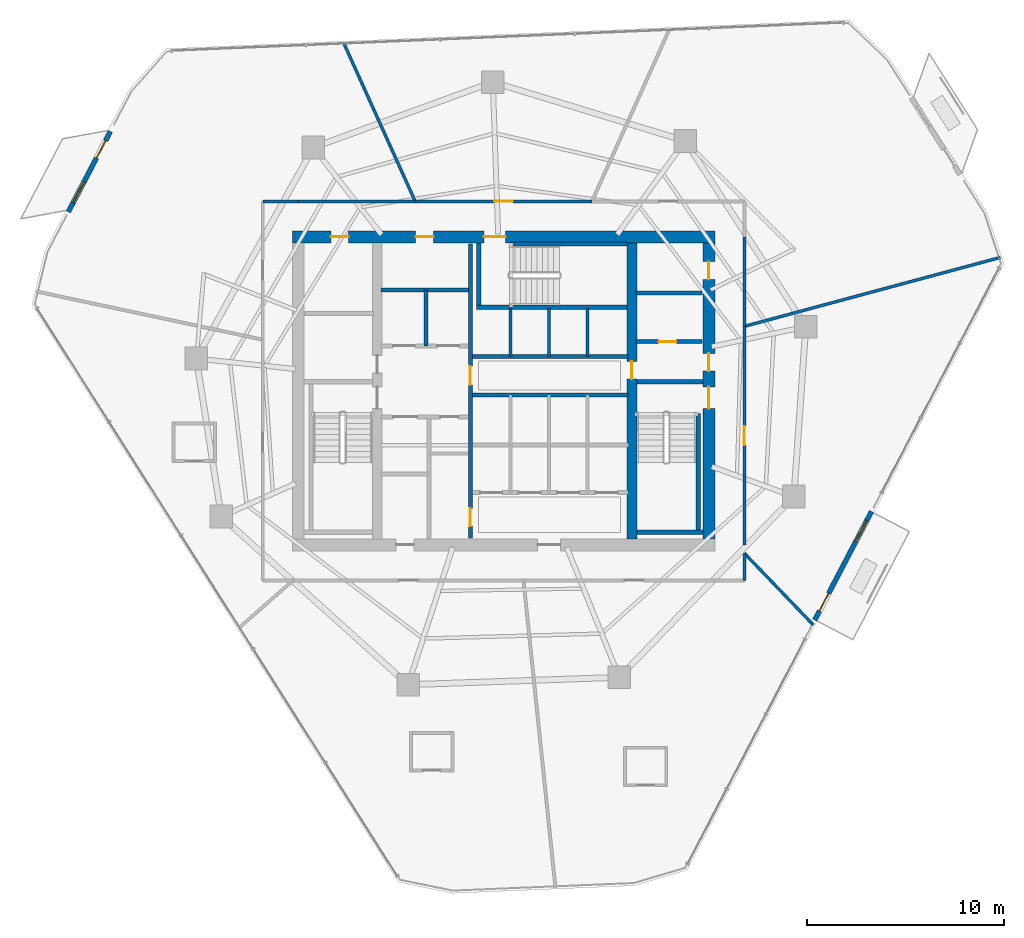
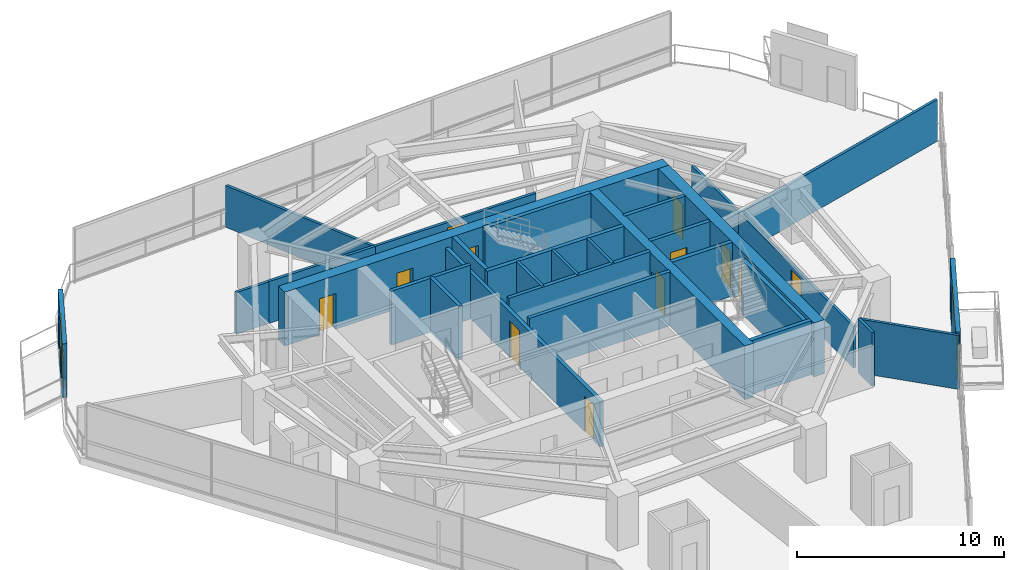
# One storey, part 22 of 25: 30 walls, 14 doors, 2 windows, 16 openings.
"""IFC4 building model written with IfcOpenShell, lengths in metres."""

from ifc_helpers import new_model, si_unit, direction, frame, frame_2d, origin, place, context, subcontext, project, spatial, rectangle, extrude, material, layer, layer_set, type_object, element, fill, save


model = new_model("IFC4")

# Units and contexts
model_context = context("Model", 3, precision=1e-05, world=origin(), true_north=direction((0.0, 1.0)))
body_context = subcontext(model_context, "Body", "Model", "MODEL_VIEW")
ifc_project = project(units=[si_unit("LENGTHUNIT", "METRE"), si_unit("AREAUNIT", "SQUARE_METRE"), si_unit("VOLUMEUNIT", "CUBIC_METRE"), si_unit("PLANEANGLEUNIT", "RADIAN"), si_unit("MASSUNIT", "GRAM", prefix="KILO")], contexts=[model_context])

# Site, building, storey
site_placement = place(None, origin())
site = spatial("IfcSite", under=ifc_project, at=site_placement, CompositionType="ELEMENT")
building_placement = place(site_placement, origin())
building = spatial("IfcBuilding", under=site, at=building_placement, Name="Qarnah Convention Tower", CompositionType="ELEMENT")
storey_placement = place(building_placement, frame((0.0, 0.0, 76.35009765625)))
storey = spatial("IfcBuildingStorey", under=building, at=storey_placement, Name="L19", CompositionType="ELEMENT", Elevation=76.35009765625)

# Wall, openings, doors
ifc_material_1 = material(Name="Concrete C60/75", Category="concrete")
ifc_layer_1 = layer(ifc_material_1, 0.60009765625)
ifc_layer_set_1 = layer_set([ifc_layer_1], Name="Concrete C60/75")
wall_type_1 = type_object("IfcWallType", Name="WL-CORE-600", PredefinedType="SHEAR", material=ifc_layer_set_1)
wall_1_placement = place(storey_placement, frame((26.5, 34.199951171875, 0.0), z_axis=(0.0, 0.0, 1.0), x_axis=(1.0, 0.0, 0.0)))
wall_1 = element("IfcWall", 1, at=wall_1_placement, inside=storey, type_object=wall_type_1, Name="L19 core north shear wall", PredefinedType="SHEAR", context=body_context, shape_type="SweptSolid", body=[
    extrude(rectangle(XDim=21.39990234375, YDim=0.60009765625, at=frame_2d((10.699951171875, 0.0))), origin(), (0.0, 0.0, 1.0), 3.169921875),
])
opening_1_placement = place(wall_1_placement, frame((9.699951171875, 0.0, 0.0)))
opening_1 = element("IfcOpeningElement", 2, at=opening_1_placement, cuts=wall_1, Name="Opening D-1903", PredefinedType="OPENING", context=body_context, shape_type="SweptSolid", body=[
    extrude(rectangle(XDim=1.10009765625, YDim=2.14990234375, at=frame_2d((0.550048828125, 1.074951171875))), frame((0.0, 0.31005859375, 0.0), z_axis=(0.0, -1.0, 0.0), x_axis=(1.0, 0.0, 0.0)), (0.0, 0.0, 1.0), 0.6201171875),
])
opening_2_placement = place(wall_1_placement, frame((1.949951171875, 0.0, 0.0)))
opening_2 = element("IfcOpeningElement", 3, at=opening_2_placement, cuts=wall_1, Name="Opening D-1909", PredefinedType="OPENING", context=body_context, shape_type="SweptSolid", body=[
    extrude(rectangle(XDim=0.89990234375, YDim=2.10009765625, at=frame_2d((0.449951171875, 1.050048828125))), frame((0.0, 0.31005859375, 0.0), z_axis=(0.0, -1.0, 0.0), x_axis=(1.0, 0.0, 0.0)), (0.0, 0.0, 1.0), 0.6201171875),
])
opening_3_placement = place(wall_1_placement, frame((6.25, 0.0, 0.0)))
opening_3 = element("IfcOpeningElement", 4, at=opening_3_placement, cuts=wall_1, Name="Opening D-1910", PredefinedType="OPENING", context=body_context, shape_type="SweptSolid", body=[
    extrude(rectangle(XDim=0.89990234375, YDim=2.10009765625, at=frame_2d((0.449951171875, 1.050048828125))), frame((0.0, 0.31005859375, 0.0), z_axis=(0.0, -1.0, 0.0), x_axis=(1.0, 0.0, 0.0)), (0.0, 0.0, 1.0), 0.6201171875),
])
ifc_material_2 = material(Name="Structural steel S355JR", Category="steel")
door_type_1 = type_object("IfcDoorType", Name="DT-RISER-900", OperationType="NOTDEFINED", PredefinedType="DOOR", material=ifc_material_2)
door_1_placement = place(opening_2_placement, origin())
door_1 = element("IfcDoor", 5, at=door_1_placement, inside=storey, type_object=door_type_1, Name="Door D-1909", OperationType="SINGLE_SWING_LEFT", OverallHeight=2.10009765625, OverallWidth=0.89990234375, PredefinedType="DOOR", context=body_context, shape_type="SweptSolid", body=[
    extrude(rectangle(XDim=0.89990234375, YDim=2.10009765625, at=frame_2d((0.449951171875, 1.050048828125))), frame((0.0, 0.02490234375, 0.0), z_axis=(0.0, -1.0, 0.0), x_axis=(1.0, 0.0, 0.0)), (0.0, 0.0, 1.0), 0.050048828125),
])
fill(opening_2, door_1)
door_2_placement = place(opening_3_placement, origin())
door_2 = element("IfcDoor", 6, at=door_2_placement, inside=storey, type_object=door_type_1, Name="Door D-1910", OperationType="SINGLE_SWING_RIGHT", OverallHeight=2.10009765625, OverallWidth=0.89990234375, PredefinedType="DOOR", context=body_context, shape_type="SweptSolid", body=[
    extrude(rectangle(XDim=0.89990234375, YDim=2.10009765625, at=frame_2d((0.449951171875, 1.050048828125))), frame((0.0, 0.02490234375, 0.0), z_axis=(0.0, -1.0, 0.0), x_axis=(1.0, 0.0, 0.0)), (0.0, 0.0, 1.0), 0.050048828125),
])
fill(opening_3, door_2)
door_type_2 = type_object("IfcDoorType", Name="DT-STAIR-1100", OperationType="NOTDEFINED", PredefinedType="DOOR", material=ifc_material_2)
door_3_placement = place(opening_1_placement, origin())
door_3 = element("IfcDoor", 7, at=door_3_placement, inside=storey, type_object=door_type_2, Name="Door D-1903", OperationType="SINGLE_SWING_LEFT", OverallHeight=2.14990234375, OverallWidth=1.10009765625, PredefinedType="DOOR", context=body_context, shape_type="SweptSolid", body=[
    extrude(rectangle(XDim=1.10009765625, YDim=2.14990234375, at=frame_2d((0.550048828125, 1.074951171875))), frame((0.0, 0.02490234375, 0.0), z_axis=(0.0, -1.0, 0.0), x_axis=(1.0, 0.0, 0.0)), (0.0, 0.0, 1.0), 0.050048828125),
])
fill(opening_1, door_3)

wall_2_placement = place(storey_placement, frame((47.60009765625, 18.89990234375, 0.0), z_axis=(0.0, 0.0, 1.0), x_axis=(0.0, 1.0, 0.0)))
wall_2 = element("IfcWall", 8, at=wall_2_placement, inside=storey, type_object=wall_type_1, Name="L19 core east shear wall", PredefinedType="SHEAR", context=body_context, shape_type="SweptSolid", body=[
    extrude(rectangle(XDim=15.0, YDim=0.60009765625, at=frame_2d((7.5, 0.0))), origin(), (0.0, 0.0, 1.0), 3.169921875),
])
opening_4_placement = place(wall_2_placement, frame((6.60009765625, 0.0, 0.0)))
opening_4 = element("IfcOpeningElement", 9, at=opening_4_placement, cuts=wall_2, Name="Opening D-1902", PredefinedType="OPENING", context=body_context, shape_type="SweptSolid", body=[
    extrude(rectangle(XDim=1.10009765625, YDim=2.14990234375, at=frame_2d((0.550048828125, 1.074951171875))), frame((0.0, 0.31005859375, 0.0), z_axis=(0.0, -1.0, 0.0), x_axis=(1.0, 0.0, 0.0)), (0.0, 0.0, 1.0), 0.6201171875),
])
opening_5_placement = place(wall_2_placement, frame((8.5, 0.0, 0.0)))
opening_5 = element("IfcOpeningElement", 10, at=opening_5_placement, cuts=wall_2, Name="Opening D-1906", PredefinedType="OPENING", context=body_context, shape_type="SweptSolid", body=[
    extrude(rectangle(XDim=0.89990234375, YDim=2.10009765625, at=frame_2d((0.449951171875, 1.050048828125))), frame((0.0, 0.31005859375, 0.0), z_axis=(0.0, -1.0, 0.0), x_axis=(1.0, 0.0, 0.0)), (0.0, 0.0, 1.0), 0.6201171875),
])
opening_6_placement = place(wall_2_placement, frame((13.14990234375, 0.0, 0.0)))
opening_6 = element("IfcOpeningElement", 11, at=opening_6_placement, cuts=wall_2, Name="Opening D-1912", PredefinedType="OPENING", context=body_context, shape_type="SweptSolid", body=[
    extrude(rectangle(XDim=0.89990234375, YDim=2.10009765625, at=frame_2d((0.449951171875, 1.050048828125))), frame((0.0, 0.31005859375, 0.0), z_axis=(0.0, -1.0, 0.0), x_axis=(1.0, 0.0, 0.0)), (0.0, 0.0, 1.0), 0.6201171875),
])
door_4_placement = place(opening_5_placement, origin())
door_4 = element("IfcDoor", 12, at=door_4_placement, inside=storey, type_object=door_type_1, Name="Door D-1906", OperationType="SINGLE_SWING_RIGHT", OverallHeight=2.10009765625, OverallWidth=0.89990234375, PredefinedType="DOOR", context=body_context, shape_type="SweptSolid", body=[
    extrude(rectangle(XDim=0.89990234375, YDim=2.10009765625, at=frame_2d((0.449951171875, 1.050048828125))), frame((0.0, 0.02490234375, 0.0), z_axis=(0.0, -1.0, 0.0), x_axis=(1.0, 0.0, 0.0)), (0.0, 0.0, 1.0), 0.050048828125),
])
fill(opening_5, door_4)
door_5_placement = place(opening_6_placement, origin())
door_5 = element("IfcDoor", 13, at=door_5_placement, inside=storey, type_object=door_type_1, Name="Door D-1912", OperationType="SINGLE_SWING_RIGHT", OverallHeight=2.10009765625, OverallWidth=0.89990234375, PredefinedType="DOOR", context=body_context, shape_type="SweptSolid", body=[
    extrude(rectangle(XDim=0.89990234375, YDim=2.10009765625, at=frame_2d((0.449951171875, 1.050048828125))), frame((0.0, 0.02490234375, 0.0), z_axis=(0.0, -1.0, 0.0), x_axis=(1.0, 0.0, 0.0)), (0.0, 0.0, 1.0), 0.050048828125),
])
fill(opening_6, door_5)
door_6_placement = place(opening_4_placement, origin())
door_6 = element("IfcDoor", 14, at=door_6_placement, inside=storey, type_object=door_type_2, Name="Door D-1902", OperationType="SINGLE_SWING_RIGHT", OverallHeight=2.14990234375, OverallWidth=1.10009765625, PredefinedType="DOOR", context=body_context, shape_type="SweptSolid", body=[
    extrude(rectangle(XDim=1.10009765625, YDim=2.14990234375, at=frame_2d((0.550048828125, 1.074951171875))), frame((0.0, 0.02490234375, 0.0), z_axis=(0.0, -1.0, 0.0), x_axis=(1.0, 0.0, 0.0)), (0.0, 0.0, 1.0), 0.050048828125),
])
fill(opening_4, door_6)

# Wall, opening, door
ifc_layer_2 = layer(ifc_material_1, 0.5)
ifc_layer_set_2 = layer_set([ifc_layer_2], Name="Concrete C60/75")
wall_type_2 = type_object("IfcWallType", Name="WL-CORE-INT-400", PredefinedType="SHEAR", material=ifc_layer_set_2)
wall_3_placement = place(storey_placement, frame((43.699951171875, 18.89990234375, 0.0), z_axis=(0.0, 0.0, 1.0), x_axis=(0.0, 1.0, 0.0)))
wall_3 = element("IfcWall", 15, at=wall_3_placement, inside=storey, type_object=wall_type_2, Name="L19 core east spine shear wall", PredefinedType="SHEAR", context=body_context, shape_type="SweptSolid", body=[
    extrude(rectangle(XDim=15.0, YDim=0.5, at=frame_2d((7.5, 0.0))), origin(), (0.0, 0.0, 1.0), 3.169921875),
])
opening_7_placement = place(wall_3_placement, frame((8.10009765625, 0.0, 0.0)))
opening_7 = element("IfcOpeningElement", 16, at=opening_7_placement, cuts=wall_3, Name="Opening D-1905", PredefinedType="OPENING", context=body_context, shape_type="SweptSolid", body=[
    extrude(rectangle(XDim=0.89990234375, YDim=2.10009765625, at=frame_2d((0.449951171875, 1.050048828125))), frame((0.0, 0.260009765625, 0.0), z_axis=(0.0, -1.0, 0.0), x_axis=(1.0, 0.0, 0.0)), (0.0, 0.0, 1.0), 0.52001953125),
])
door_7_placement = place(opening_7_placement, origin())
door_7 = element("IfcDoor", 17, at=door_7_placement, inside=storey, type_object=door_type_1, Name="Door D-1905", OperationType="SINGLE_SWING_LEFT", OverallHeight=2.10009765625, OverallWidth=0.89990234375, PredefinedType="DOOR", context=body_context, shape_type="SweptSolid", body=[
    extrude(rectangle(XDim=0.89990234375, YDim=2.10009765625, at=frame_2d((0.449951171875, 1.050048828125))), frame((0.0, 0.02490234375, 0.0), z_axis=(0.0, -1.0, 0.0), x_axis=(1.0, 0.0, 0.0)), (0.0, 0.0, 1.0), 0.050048828125),
])
fill(opening_7, door_7)

ifc_material_3 = material(Name="Concrete C45/55", Category="concrete")
ifc_layer_3 = layer(ifc_material_3, 0.199951171875)
ifc_layer_set_3 = layer_set([ifc_layer_3], Name="Concrete C45/55")
wall_type_3 = type_object("IfcWallType", Name="WL-CORE-PART-200", PredefinedType="SOLIDWALL", material=ifc_layer_set_3)
wall_4_placement = place(storey_placement, frame((43.89990234375, 28.89990234375, 0.0), z_axis=(0.0, 0.0, 1.0), x_axis=(1.0, 0.0, 0.0)))
wall_4 = element("IfcWall", 18, at=wall_4_placement, inside=storey, type_object=wall_type_3, Name="L19 interior wall IW-L19-EVSTN", PredefinedType="SOLIDWALL", context=body_context, shape_type="SweptSolid", body=[
    extrude(rectangle(XDim=3.35009765625, YDim=0.199951171875, at=frame_2d((1.675048828125, 0.0))), origin(), (0.0, 0.0, 1.0), 3.169921875),
])
opening_8_placement = place(wall_4_placement, frame((1.14990234375, 0.0, 0.0)))
opening_8 = element("IfcOpeningElement", 19, at=opening_8_placement, cuts=wall_4, Name="Opening D-1911", PredefinedType="OPENING", context=body_context, shape_type="SweptSolid", body=[
    extrude(rectangle(XDim=0.89990234375, YDim=2.10009765625, at=frame_2d((0.449951171875, 1.050048828125))), frame((0.0, 0.10986328125, 0.0), z_axis=(0.0, -1.0, 0.0), x_axis=(1.0, 0.0, 0.0)), (0.0, 0.0, 1.0), 0.219970703125),
])
door_8_placement = place(opening_8_placement, origin())
door_8 = element("IfcDoor", 20, at=door_8_placement, inside=storey, type_object=door_type_1, Name="Door D-1911", OperationType="SINGLE_SWING_LEFT", OverallHeight=2.10009765625, OverallWidth=0.89990234375, PredefinedType="DOOR", context=body_context, shape_type="SweptSolid", body=[
    extrude(rectangle(XDim=0.89990234375, YDim=2.10009765625, at=frame_2d((0.449951171875, 1.050048828125))), frame((0.0, 0.02490234375, 0.0), z_axis=(0.0, -1.0, 0.0), x_axis=(1.0, 0.0, 0.0)), (0.0, 0.0, 1.0), 0.050048828125),
])
fill(opening_8, door_8)

# Wall
wall_5_placement = place(storey_placement, frame((43.89990234375, 31.35009765625, 0.0), z_axis=(0.0, 0.0, 1.0), x_axis=(1.0, 0.0, 0.0)))
element("IfcWall", 21, at=wall_5_placement, inside=storey, type_object=wall_type_3, Name="L19 interior wall IW-L19-WTRN", PredefinedType="SOLIDWALL", context=body_context, shape_type="SweptSolid", body=[
    extrude(rectangle(XDim=3.35009765625, YDim=0.199951171875, at=frame_2d((1.675048828125, 0.0))), origin(), (0.0, 0.0, 1.0), 3.169921875),
])

# Wall, openings, doors
wall_6_placement = place(storey_placement, frame((35.52001953125, 18.949951171875, 0.0), z_axis=(0.0, 0.0, 1.0), x_axis=(0.0, 1.0, 0.0)))
wall_6 = element("IfcWall", 22, at=wall_6_placement, inside=storey, type_object=wall_type_3, Name="L19 interior wall IW-L19-CSP", PredefinedType="SOLIDWALL", context=body_context, shape_type="SweptSolid", body=[
    extrude(rectangle(XDim=14.900146484375, YDim=0.199951171875, at=frame_2d((7.4501953125, 0.0))), origin(), (0.0, 0.0, 1.0), 2.69091796875),
])
opening_9_placement = place(wall_6_placement, frame((7.7548828125, 0.0, 0.0)))
opening_9 = element("IfcOpeningElement", 23, at=opening_9_placement, cuts=wall_6, Name="Opening D-1904", PredefinedType="OPENING", context=body_context, shape_type="SweptSolid", body=[
    extrude(rectangle(XDim=0.949951171875, YDim=2.14990234375, at=frame_2d((0.47509765625, 1.074951171875))), frame((0.0, 0.10986328125, 0.0), z_axis=(0.0, -1.0, 0.0), x_axis=(1.0, 0.0, 0.0)), (0.0, 0.0, 1.0), 0.219970703125),
])
opening_10_placement = place(wall_6_placement, frame((0.60009765625, 0.0, 0.0)))
opening_10 = element("IfcOpeningElement", 24, at=opening_10_placement, cuts=wall_6, Name="Opening D-1914", PredefinedType="OPENING", context=body_context, shape_type="SweptSolid", body=[
    extrude(rectangle(XDim=0.89990234375, YDim=2.10009765625, at=frame_2d((0.449951171875, 1.050048828125))), frame((0.0, 0.10986328125, 0.0), z_axis=(0.0, -1.0, 0.0), x_axis=(1.0, 0.0, 0.0)), (0.0, 0.0, 1.0), 0.219970703125),
])
ifc_material_4 = material(Name="Oak timber veneer", Category="wood")
door_type_3 = type_object("IfcDoorType", Name="DT-HOTEL-950", OperationType="NOTDEFINED", PredefinedType="DOOR", material=ifc_material_4)
door_9_placement = place(opening_9_placement, origin())
door_9 = element("IfcDoor", 25, at=door_9_placement, inside=storey, type_object=door_type_3, Name="Door D-1904", OperationType="SINGLE_SWING_RIGHT", OverallHeight=2.14990234375, OverallWidth=0.949951171875, PredefinedType="DOOR", context=body_context, shape_type="SweptSolid", body=[
    extrude(rectangle(XDim=0.949951171875, YDim=2.14990234375, at=frame_2d((0.47509765625, 1.074951171875))), frame((0.0, 0.02490234375, 0.0), z_axis=(0.0, -1.0, 0.0), x_axis=(1.0, 0.0, 0.0)), (0.0, 0.0, 1.0), 0.050048828125),
])
fill(opening_9, door_9)
door_10_placement = place(opening_10_placement, origin())
door_10 = element("IfcDoor", 26, at=door_10_placement, inside=storey, type_object=door_type_1, Name="Door D-1914", OperationType="SINGLE_SWING_RIGHT", OverallHeight=2.10009765625, OverallWidth=0.89990234375, PredefinedType="DOOR", context=body_context, shape_type="SweptSolid", body=[
    extrude(rectangle(XDim=0.89990234375, YDim=2.10009765625, at=frame_2d((0.449951171875, 1.050048828125))), frame((0.0, 0.02490234375, 0.0), z_axis=(0.0, -1.0, 0.0), x_axis=(1.0, 0.0, 0.0)), (0.0, 0.0, 1.0), 0.050048828125),
])
fill(opening_10, door_10)

# Walls
wall_7_placement = place(storey_placement, frame((31.0, 31.5, 0.0), z_axis=(0.0, 0.0, 1.0), x_axis=(1.0, 0.0, 0.0)))
element("IfcWall", 27, at=wall_7_placement, inside=storey, type_object=wall_type_3, Name="L19 interior wall IW-L19-FFLN", PredefinedType="SOLIDWALL", context=body_context, shape_type="SweptSolid", body=[
    extrude(rectangle(XDim=4.419921875, YDim=0.199951171875, at=frame_2d((2.2099609375, 0.0))), origin(), (0.0, 0.0, 1.0), 3.169921875),
])
wall_8_placement = place(storey_placement, frame((33.280029296875, 28.679931640625, 0.0), z_axis=(0.0, 0.0, 1.0), x_axis=(0.0, 1.0, 0.0)))
element("IfcWall", 28, at=wall_8_placement, inside=storey, type_object=wall_type_3, Name="L19 interior wall IW-L19-FFLM", PredefinedType="SOLIDWALL", context=body_context, shape_type="SweptSolid", body=[
    extrude(rectangle(XDim=2.820068359375, YDim=0.199951171875, at=frame_2d((1.41015625, 0.0))), origin(), (0.0, 0.0, 1.0), 3.169921875),
])
for number, where, z_axis, x_axis, name in (
    (29, (35.6201171875, 28.14990234375, 0.0), (0.0, 0.0, 1.0), (1.0, 0.0, 0.0), "L19 interior wall IW-L19-PHS"),
    (30, (35.6201171875, 26.199951171875, 0.0), (0.0, 0.0, 1.0), (1.0, 0.0, 0.0), "L19 interior wall IW-L19-PMN"),
):
    element("IfcWall", number, at=place(storey_placement, frame(where, z_axis=z_axis, x_axis=x_axis)), inside=storey, type_object=wall_type_3, Name=name, PredefinedType="SOLIDWALL", context=body_context, shape_type="SweptSolid", body=[
        extrude(rectangle(XDim=7.8798828125, YDim=0.199951171875, at=frame_2d((3.93994140625, 0.0))), origin(), (0.0, 0.0, 1.0), 3.169921875),
    ])
ifc_layer_4 = layer(ifc_material_1, 0.219970703125)
ifc_layer_set_4 = layer_set([ifc_layer_4], Name="Concrete C60/75")
wall_type_4 = type_object("IfcWallType", Name="WL-CORE-STAIR-220", PredefinedType="SHEAR", material=ifc_layer_set_4)
wall_9_placement = place(storey_placement, frame((43.949951171875, 26.860107421875, 0.0), z_axis=(0.0, 0.0, 1.0), x_axis=(1.0, 0.0, 0.0)))
element("IfcWall", 31, at=wall_9_placement, inside=storey, type_object=wall_type_4, Name="L19 stair shaft shear wall SW-L19-ST2N", PredefinedType="SHEAR", context=body_context, shape_type="SweptSolid", body=[
    extrude(rectangle(XDim=3.35009765625, YDim=0.219970703125, at=frame_2d((1.675048828125, 0.0))), origin(), (0.0, 0.0, 1.0), 3.169921875),
])
wall_10_placement = place(storey_placement, frame((47.06005859375, 19.35009765625, 0.0), z_axis=(0.0, 0.0, 1.0), x_axis=(0.0, 1.0, 0.0)))
element("IfcWall", 32, at=wall_10_placement, inside=storey, type_object=wall_type_4, Name="L19 stair shaft shear wall SW-L19-ST2E", PredefinedType="SHEAR", context=body_context, shape_type="SweptSolid", body=[
    extrude(rectangle(XDim=5.89990234375, YDim=0.219970703125, at=frame_2d((2.949951171875, 0.0))), origin(), (0.0, 0.0, 1.0), 3.169921875),
])
wall_11_placement = place(storey_placement, frame((43.949951171875, 19.239990234375, 0.0), z_axis=(0.0, 0.0, 1.0), x_axis=(1.0, 0.0, 0.0)))
element("IfcWall", 33, at=wall_11_placement, inside=storey, type_object=wall_type_4, Name="L19 stair shaft shear wall SW-L19-ST2S", PredefinedType="SHEAR", context=body_context, shape_type="SweptSolid", body=[
    extrude(rectangle(XDim=3.35009765625, YDim=0.219970703125, at=frame_2d((1.675048828125, 0.0))), origin(), (0.0, 0.0, 1.0), 3.169921875),
])
wall_12_placement = place(storey_placement, frame((35.840087890625, 30.639892578125, 0.0), z_axis=(0.0, 0.0, 1.0), x_axis=(1.0, 0.0, 0.0)))
element("IfcWall", 34, at=wall_12_placement, inside=storey, type_object=wall_type_4, Name="L19 stair shaft shear wall SW-L19-ST3S", PredefinedType="SHEAR", context=body_context, shape_type="SweptSolid", body=[
    extrude(rectangle(XDim=7.60986328125, YDim=0.219970703125, at=frame_2d((3.804931640625, 0.0))), origin(), (0.0, 0.0, 1.0), 3.169921875),
])
wall_13_placement = place(storey_placement, frame((35.93994140625, 30.75, 0.0), z_axis=(0.0, 0.0, 1.0), x_axis=(0.0, 1.0, 0.0)))
element("IfcWall", 35, at=wall_13_placement, inside=storey, type_object=wall_type_4, Name="L19 stair shaft shear wall SW-L19-ST3W", PredefinedType="SHEAR", context=body_context, shape_type="SweptSolid", body=[
    extrude(rectangle(XDim=3.14990234375, YDim=0.219970703125, at=frame_2d((1.574951171875, 0.0))), origin(), (0.0, 0.0, 1.0), 3.169921875),
])
wall_14_placement = place(storey_placement, frame((37.550048828125, 33.840087890625, 0.0), z_axis=(0.0, 0.0, 1.0), x_axis=(1.0, 0.0, 0.0)))
element("IfcWall", 36, at=wall_14_placement, inside=storey, type_object=wall_type_4, Name="L19 stair shaft shear wall SW-L19-ST3N", PredefinedType="SHEAR", context=body_context, shape_type="SweptSolid", body=[
    extrude(rectangle(XDim=5.89990234375, YDim=0.219970703125, at=frame_2d((2.949951171875, 0.0))), origin(), (0.0, 0.0, 1.0), 3.169921875),
])

# Wall, openings, door, window
ifc_material_5 = material(Name="Precast concrete C45/55", Category="concrete")
ifc_layer_5 = layer(ifc_material_5, 0.239990234375)
ifc_layer_set_5 = layer_set([ifc_layer_5], Name="Precast concrete C45/55")
wall_type_5 = type_object("IfcWallType", Name="WL-EXT-BAL-240", PredefinedType="SOLIDWALL", material=ifc_layer_set_5)
wall_15_placement = place(storey_placement, frame((15.153076171875, 35.464111328125, 0.0), z_axis=(0.0, 0.0, 1.0), x_axis=(0.463211579043, 0.886247726677, 0.0)))
wall_15 = element("IfcWall", 37, at=wall_15_placement, inside=storey, type_object=wall_type_5, Name="L19 loggia threshold wall BAL-L19-C2", PredefinedType="SOLIDWALL", context=body_context, shape_type="SweptSolid", body=[
    extrude(rectangle(XDim=4.60009765625, YDim=0.239990234375, at=frame_2d((2.300048828125, 0.0))), origin(), (0.0, 0.0, 1.0), 3.169921875),
])
opening_11_placement = place(wall_15_placement, frame((3.080078125, 0.0, 0.0)))
opening_11 = element("IfcOpeningElement", 38, at=opening_11_placement, cuts=wall_15, Name="Opening BD-1902", PredefinedType="OPENING", context=body_context, shape_type="SweptSolid", body=[
    extrude(rectangle(XDim=1.0, YDim=2.14990234375, at=frame_2d((0.5, 1.074951171875))), frame((0.0, 0.1298828125, 0.0), z_axis=(0.0, -1.0, 0.0), x_axis=(1.0, 0.0, 0.0)), (0.0, 0.0, 1.0), 0.260009765625),
])
opening_12_placement = place(wall_15_placement, frame((0.52001953125, 0.0, 0.199951171875)))
opening_12 = element("IfcOpeningElement", 39, at=opening_12_placement, cuts=wall_15, Name="Opening WN5", PredefinedType="OPENING", context=body_context, shape_type="SweptSolid", body=[
    extrude(rectangle(XDim=1.199951171875, YDim=1.800048828125, at=frame_2d((0.60009765625, 0.89990234375))), frame((0.0, 0.1298828125, 0.0), z_axis=(0.0, -1.0, 0.0), x_axis=(1.0, 0.0, 0.0)), (0.0, 0.0, 1.0), 0.260009765625),
])
ifc_material_6 = material(Name="Black anodised aluminium", Category="aluminium")
door_type_4 = type_object("IfcDoorType", Name="DT-BAL-1000", OperationType="NOTDEFINED", PredefinedType="DOOR", material=ifc_material_6)
door_11_placement = place(opening_11_placement, origin())
door_11 = element("IfcDoor", 40, at=door_11_placement, inside=storey, type_object=door_type_4, Name="L19 balcony terrace door BAL-L19-C2", OperationType="SINGLE_SWING_LEFT", OverallHeight=2.14990234375, OverallWidth=1.0, PredefinedType="DOOR", context=body_context, shape_type="SweptSolid", body=[
    extrude(rectangle(XDim=1.0, YDim=2.14990234375, at=frame_2d((0.5, 1.074951171875))), frame((0.0, 0.02490234375, 0.0), z_axis=(0.0, -1.0, 0.0), x_axis=(1.0, 0.0, 0.0)), (0.0, 0.0, 1.0), 0.050048828125),
])
fill(opening_11, door_11)
ifc_material_7 = material(Name="Tempered Low-E dark glass", Category="glass")
window_type = type_object("IfcWindowType", Name="WT-BAL-1200X1800", PartitioningType="SINGLE_PANEL", PredefinedType="WINDOW", material=ifc_material_7)
window_1_placement = place(opening_12_placement, origin())
window_1 = element("IfcWindow", 41, at=window_1_placement, inside=storey, type_object=window_type, Name="Window BW-BAL-L19-C2", OverallHeight=1.800048828125, OverallWidth=1.199951171875, PartitioningType="SINGLE_PANEL", PredefinedType="WINDOW", context=body_context, shape_type="SweptSolid", body=[
    extrude(rectangle(XDim=1.199951171875, YDim=1.800048828125, at=frame_2d((0.60009765625, 0.89990234375))), frame((0.0, 0.030029296875, 0.0), z_axis=(0.0, -1.0, 0.0), x_axis=(1.0, 0.0, 0.0)), (0.0, 0.0, 1.0), 0.06005859375),
])
fill(opening_12, window_1)

wall_16_placement = place(storey_placement, frame((55.8330078125, 20.291015625, 0.0), z_axis=(0.0, 0.0, 1.0), x_axis=(-0.463330108623, -0.8861857652, 0.0)))
wall_16 = element("IfcWall", 42, at=wall_16_placement, inside=storey, type_object=wall_type_5, Name="L19 loggia threshold wall SG-L19", PredefinedType="SOLIDWALL", context=body_context, shape_type="SweptSolid", body=[
    extrude(rectangle(XDim=6.200927734375, YDim=0.239990234375, at=frame_2d((3.1005859375, 0.0))), origin(), (0.0, 0.0, 1.0), 3.169921875),
])
opening_13_placement = place(wall_16_placement, frame((4.680908203125, 0.0, 0.0)))
opening_13 = element("IfcOpeningElement", 43, at=opening_13_placement, cuts=wall_16, Name="Opening BD-1903", PredefinedType="OPENING", context=body_context, shape_type="SweptSolid", body=[
    extrude(rectangle(XDim=1.0, YDim=2.14990234375, at=frame_2d((0.5, 1.074951171875))), frame((0.0, 0.1298828125, 0.0), z_axis=(0.0, -1.0, 0.0), x_axis=(1.0, 0.0, 0.0)), (0.0, 0.0, 1.0), 0.260009765625),
])
opening_14_placement = place(wall_16_placement, frame((0.52001953125, 0.0, 0.199951171875)))
opening_14 = element("IfcOpeningElement", 44, at=opening_14_placement, cuts=wall_16, Name="Opening WN5", PredefinedType="OPENING", context=body_context, shape_type="SweptSolid", body=[
    extrude(rectangle(XDim=1.199951171875, YDim=1.800048828125, at=frame_2d((0.60009765625, 0.89990234375))), frame((0.0, 0.1298828125, 0.0), z_axis=(0.0, -1.0, 0.0), x_axis=(1.0, 0.0, 0.0)), (0.0, 0.0, 1.0), 0.260009765625),
])
door_12_placement = place(opening_13_placement, origin())
door_12 = element("IfcDoor", 45, at=door_12_placement, inside=storey, type_object=door_type_4, Name="L19 balcony terrace door SG-L19", OperationType="SINGLE_SWING_RIGHT", OverallHeight=2.14990234375, OverallWidth=1.0, PredefinedType="DOOR", context=body_context, shape_type="SweptSolid", body=[
    extrude(rectangle(XDim=1.0, YDim=2.14990234375, at=frame_2d((0.5, 1.074951171875))), frame((0.0, 0.02490234375, 0.0), z_axis=(0.0, -1.0, 0.0), x_axis=(1.0, 0.0, 0.0)), (0.0, 0.0, 1.0), 0.050048828125),
])
fill(opening_13, door_12)
window_2_placement = place(opening_14_placement, origin())
window_2 = element("IfcWindow", 46, at=window_2_placement, inside=storey, type_object=window_type, Name="Window BW-SG-L19", OverallHeight=1.800048828125, OverallWidth=1.199951171875, PartitioningType="SINGLE_PANEL", PredefinedType="WINDOW", context=body_context, shape_type="SweptSolid", body=[
    extrude(rectangle(XDim=1.199951171875, YDim=1.800048828125, at=frame_2d((0.60009765625, 0.89990234375))), frame((0.0, 0.030029296875, 0.0), z_axis=(0.0, -1.0, 0.0), x_axis=(1.0, 0.0, 0.0)), (0.0, 0.0, 1.0), 0.06005859375),
])
fill(opening_14, window_2)

# Walls
ifc_material_8 = material(Name="Gypsum partition board")
ifc_layer_6 = layer(ifc_material_8, 0.14990234375)
ifc_layer_set_6 = layer_set([ifc_layer_6], Name="Gypsum partition board")
wall_type_6 = type_object("IfcWallType", Name="WL-SUITE-150", PredefinedType="PARTITIONING", material=ifc_layer_set_6)
for number, where, z_axis, x_axis, name in (
    (47, (37.550048828125, 28.14990234375, 0.0), (0.0, 0.0, 1.0), (0.0, 1.0, 0.0), "L19 interior wall IW-L19-PHD1"),
    (48, (39.5, 28.14990234375, 0.0), (0.0, 0.0, 1.0), (0.0, 1.0, 0.0), "L19 interior wall IW-L19-PHD2"),
    (49, (41.449951171875, 28.14990234375, 0.0), (0.0, 0.0, 1.0), (0.0, 1.0, 0.0), "L19 interior wall IW-L19-PHD3"),
):
    element("IfcWall", number, at=place(storey_placement, frame(where, z_axis=z_axis, x_axis=x_axis)), inside=storey, type_object=wall_type_6, Name=name, PredefinedType="PARTITIONING", context=body_context, shape_type="SweptSolid", body=[
        extrude(rectangle(XDim=2.43017578125, YDim=0.14990234375, at=frame_2d((1.215087890625, 0.0))), origin(), (0.0, 0.0, 1.0), 3.169921875),
    ])
wall_17_placement = place(storey_placement, frame((49.39990234375, 34.199951171875, 0.0), z_axis=(0.0, 0.0, 1.0), x_axis=(0.0, -1.0, 0.0)))
element("IfcWall", 50, at=wall_17_placement, inside=storey, type_object=wall_type_6, Name="L19 interior wall IW-L19-R-16", PredefinedType="PARTITIONING", context=body_context, shape_type="SweptSolid", body=[
    extrude(rectangle(XDim=4.531005859375, YDim=0.14990234375, at=frame_2d((2.265625, 0.0))), origin(), (0.0, 0.0, 1.0), 2.454833984375),
])
wall_18_placement = place(storey_placement, frame((49.39990234375, 29.6689453125, 0.0), z_axis=(0.0, 0.0, 1.0), x_axis=(0.965609785955, 0.259995656249, 0.0)))
element("IfcWall", 51, at=wall_18_placement, inside=storey, type_object=wall_type_6, Name="L19 interior wall IW-L19-R-17", PredefinedType="PARTITIONING", context=body_context, shape_type="SweptSolid", body=[
    extrude(rectangle(XDim=13.41943359375, YDim=0.14990234375, at=frame_2d((6.709716796875, 0.0))), origin(), (0.0, 0.0, 1.0), 2.454833984375),
])
wall_19_placement = place(storey_placement, frame((29.093017578125, 44.0400390625, 0.0), z_axis=(0.0, 0.0, 1.0), x_axis=(0.41148290583, -0.911417477455, 0.0)))
element("IfcWall", 52, at=wall_19_placement, inside=storey, type_object=wall_type_6, Name="L19 interior wall IW-L19-R-18", PredefinedType="PARTITIONING", context=body_context, shape_type="SweptSolid", body=[
    extrude(rectangle(XDim=8.821533203125, YDim=0.14990234375, at=frame_2d((4.41064453125, 0.0))), origin(), (0.0, 0.0, 1.0), 2.454833984375),
])

# Wall, opening, door
wall_20_placement = place(storey_placement, frame((32.722900390625, 36.0, 0.0), z_axis=(0.0, 0.0, 1.0), x_axis=(1.0, 0.0, 0.0)))
wall_20 = element("IfcWall", 53, at=wall_20_placement, inside=storey, type_object=wall_type_6, Name="L19 interior wall IW-L19-R-19", PredefinedType="PARTITIONING", context=body_context, shape_type="SweptSolid", body=[
    extrude(rectangle(XDim=8.9541015625, YDim=0.14990234375, at=frame_2d((4.47705078125, 0.0))), origin(), (0.0, 0.0, 1.0), 2.466796875),
])
opening_15_placement = place(wall_20_placement, frame((4.001953125, 0.0, 0.0)))
opening_15 = element("IfcOpeningElement", 54, at=opening_15_placement, cuts=wall_20, Name="Opening D-1917", PredefinedType="OPENING", context=body_context, shape_type="SweptSolid", body=[
    extrude(rectangle(XDim=0.949951171875, YDim=2.14990234375, at=frame_2d((0.47509765625, 1.074951171875))), frame((0.0, 0.0849609375, 0.0), z_axis=(0.0, -1.0, 0.0), x_axis=(1.0, 0.0, 0.0)), (0.0, 0.0, 1.0), 0.169921875),
])
door_13_placement = place(opening_15_placement, origin())
door_13 = element("IfcDoor", 55, at=door_13_placement, inside=storey, type_object=door_type_3, Name="Door D-1917", OperationType="SINGLE_SWING_LEFT", OverallHeight=2.14990234375, OverallWidth=0.949951171875, PredefinedType="DOOR", context=body_context, shape_type="SweptSolid", body=[
    extrude(rectangle(XDim=0.949951171875, YDim=2.14990234375, at=frame_2d((0.47509765625, 1.074951171875))), frame((0.0, 0.02490234375, 0.0), z_axis=(0.0, -1.0, 0.0), x_axis=(1.0, 0.0, 0.0)), (0.0, 0.0, 1.0), 0.050048828125),
])
fill(opening_15, door_13)

# Walls
wall_21_placement = place(storey_placement, frame((25.0, 36.0, 0.0), z_axis=(0.0, 0.0, 1.0), x_axis=(1.0, 0.0, 0.0)))
element("IfcWall", 56, at=wall_21_placement, inside=storey, type_object=wall_type_6, Name="L19 interior wall IW-L19-R-22", PredefinedType="PARTITIONING", context=body_context, shape_type="SweptSolid", body=[
    extrude(rectangle(XDim=1.800048828125, YDim=0.14990234375, at=frame_2d((0.89990234375, 0.0))), origin(), (0.0, 0.0, 1.0), 2.454833984375),
])
wall_22_placement = place(storey_placement, frame((26.800048828125, 36.0, 0.0), z_axis=(0.0, 0.0, 1.0), x_axis=(1.0, 0.0, 0.0)))
element("IfcWall", 57, at=wall_22_placement, inside=storey, type_object=wall_type_6, Name="L19 interior wall IW-L19-R-23", PredefinedType="PARTITIONING", context=body_context, shape_type="SweptSolid", body=[
    extrude(rectangle(XDim=5.9228515625, YDim=0.14990234375, at=frame_2d((2.96142578125, 0.0))), origin(), (0.0, 0.0, 1.0), 2.466796875),
])
wall_23_placement = place(storey_placement, frame((52.89501953125, 14.5390625, 0.0), z_axis=(0.0, 0.0, 1.0), x_axis=(-0.693414536175, 0.720538882379, 0.0)))
element("IfcWall", 58, at=wall_23_placement, inside=storey, type_object=wall_type_6, Name="L19 interior wall IW-L19-R-30", PredefinedType="PARTITIONING", context=body_context, shape_type="SweptSolid", body=[
    extrude(rectangle(XDim=5.04052734375, YDim=0.14990234375, at=frame_2d((2.520263671875, 0.0))), origin(), (0.0, 0.0, 1.0), 3.169921875),
])
wall_24_placement = place(storey_placement, frame((49.39990234375, 18.1708984375, 0.0), z_axis=(0.0, 0.0, 1.0), x_axis=(0.0, -1.0, 0.0)))
element("IfcWall", 59, at=wall_24_placement, inside=storey, type_object=wall_type_6, Name="L19 interior wall IW-L19-R-31", PredefinedType="PARTITIONING", context=body_context, shape_type="SweptSolid", body=[
    extrude(rectangle(XDim=1.370849609375, YDim=0.14990234375, at=frame_2d((0.685546875, 0.0))), origin(), (0.0, 0.0, 1.0), 3.169921875),
])

# Wall, opening, door
wall_25_placement = place(storey_placement, frame((49.39990234375, 29.6689453125, 0.0), z_axis=(0.0, 0.0, 1.0), x_axis=(0.0, -1.0, 0.0)))
wall_25 = element("IfcWall", 60, at=wall_25_placement, inside=storey, type_object=wall_type_6, Name="L19 interior wall IW-L19-R-33", PredefinedType="PARTITIONING", context=body_context, shape_type="SweptSolid", body=[
    extrude(rectangle(XDim=11.06884765625, YDim=0.14990234375, at=frame_2d((5.534423828125, 0.0))), origin(), (0.0, 0.0, 1.0), 2.454833984375),
])
opening_16_placement = place(wall_25_placement, frame((5.06005859375, 0.0, 0.0)))
opening_16 = element("IfcOpeningElement", 61, at=opening_16_placement, cuts=wall_25, Name="Opening D-1925", PredefinedType="OPENING", context=body_context, shape_type="SweptSolid", body=[
    extrude(rectangle(XDim=0.949951171875, YDim=2.14990234375, at=frame_2d((0.47509765625, 1.074951171875))), frame((0.0, 0.0849609375, 0.0), z_axis=(0.0, -1.0, 0.0), x_axis=(1.0, 0.0, 0.0)), (0.0, 0.0, 1.0), 0.169921875),
])
door_14_placement = place(opening_16_placement, origin())
door_14 = element("IfcDoor", 62, at=door_14_placement, inside=storey, type_object=door_type_3, Name="Door D-1925", OperationType="SINGLE_SWING_LEFT", OverallHeight=2.14990234375, OverallWidth=0.949951171875, PredefinedType="DOOR", context=body_context, shape_type="SweptSolid", body=[
    extrude(rectangle(XDim=0.949951171875, YDim=2.14990234375, at=frame_2d((0.47509765625, 1.074951171875))), frame((0.0, 0.02490234375, 0.0), z_axis=(0.0, -1.0, 0.0), x_axis=(1.0, 0.0, 0.0)), (0.0, 0.0, 1.0), 0.050048828125),
])
fill(opening_16, door_14)

save(model, "model.ifc")
